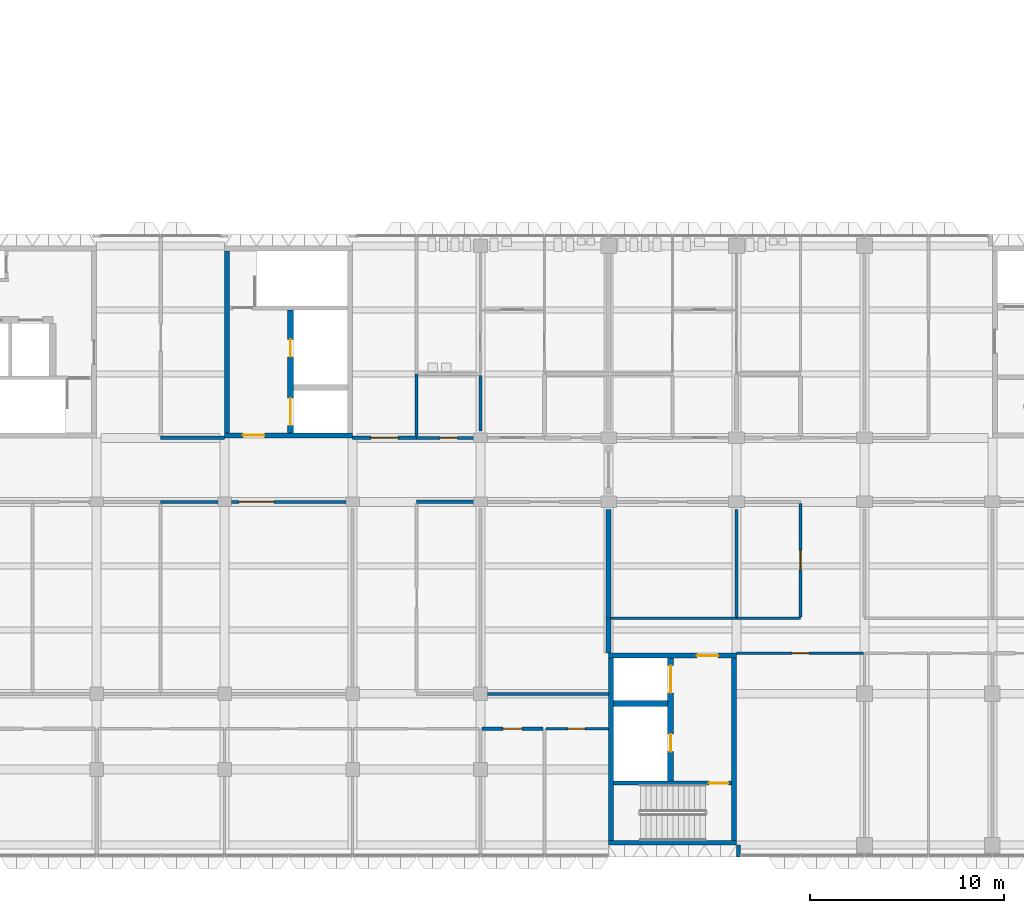
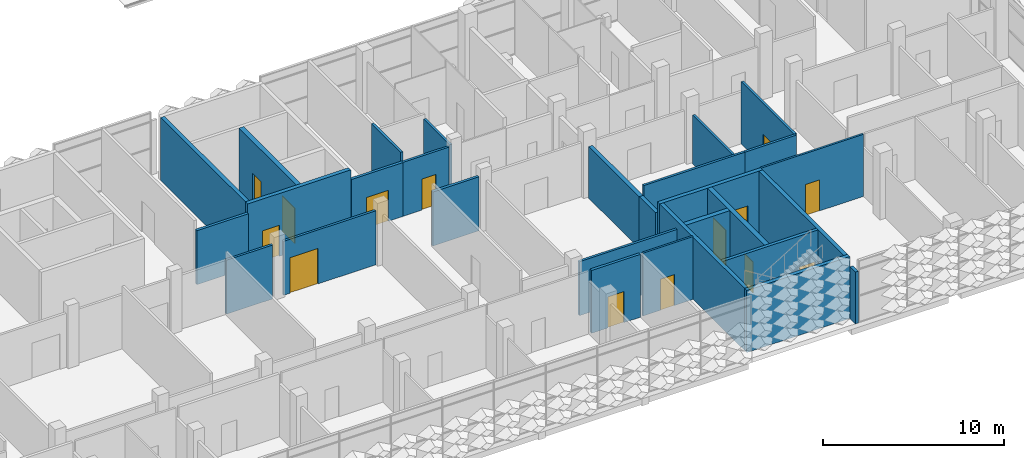
# One storey, part 20 of 61: 29 walls, 14 doors, 14 openings.
"""IFC4 building model written with IfcOpenShell, lengths in metres."""

from ifc_helpers import new_model, si_unit, direction, frame, frame_2d, origin, place, context, subcontext, project, spatial, rectangle, extrude, material, layer, layer_set, type_object, element, fill, save


model = new_model("IFC4")

# Units and contexts
model_context = context("Model", 3, precision=1e-05, world=origin(), true_north=direction((0.0, 1.0)))
body_context = subcontext(model_context, "Body", "Model", "MODEL_VIEW")
ifc_project = project(units=[si_unit("LENGTHUNIT", "METRE"), si_unit("AREAUNIT", "SQUARE_METRE"), si_unit("VOLUMEUNIT", "CUBIC_METRE"), si_unit("PLANEANGLEUNIT", "RADIAN"), si_unit("MASSUNIT", "GRAM", prefix="KILO")], contexts=[model_context])

# Site, building, storey
site_placement = place(None, origin())
site = spatial("IfcSite", under=ifc_project, at=site_placement, CompositionType="ELEMENT")
building_placement = place(site_placement, origin())
building = spatial("IfcBuilding", under=site, at=building_placement, Name="Lantern Court Research Institute", CompositionType="ELEMENT")
storey_placement = place(building_placement, frame((0.0, 0.0, 23.39990234375)))
storey = spatial("IfcBuildingStorey", under=building, at=storey_placement, Name="L05", CompositionType="ELEMENT", Elevation=23.39990234375)

# Wall
ifc_material_1 = material(Name="Double-stud acoustic gypsum board partition, mineral wool filled")
ifc_layer_1 = layer(ifc_material_1, 0.175048828125)
ifc_layer_set_1 = layer_set([ifc_layer_1], Name="Double-stud acoustic gypsum board partition, mineral wool filled")
wall_type_1 = type_object("IfcWallType", Name="Acoustic partition 175 EI 60", PredefinedType="PARTITIONING", material=ifc_layer_set_1)
wall_1_placement = place(storey_placement, frame((33.0, 13.199951171875, 0.0), z_axis=(0.0, 0.0, 1.0), x_axis=(-1.0, 0.0, 0.0)))
element("IfcWall", 1, at=wall_1_placement, inside=storey, type_object=wall_type_1, Name="Acoustic partition 175 EI 60", PredefinedType="PARTITIONING", context=body_context, shape_type="SweptSolid", body=[
    extrude(rectangle(XDim=3.300048828125, YDim=0.175048828125, at=frame_2d((1.64990234375, 0.0))), origin(), (0.0, 0.0, 1.0), 3.650146484375),
])

# Wall, opening, door
wall_2_placement = place(storey_placement, frame((39.60009765625, 13.199951171875, 0.0), z_axis=(0.0, 0.0, 1.0), x_axis=(1.0, 0.0, 0.0)))
wall_2 = element("IfcWall", 2, at=wall_2_placement, inside=storey, type_object=wall_type_1, Name="Acoustic partition 175 EI 60", PredefinedType="PARTITIONING", context=body_context, shape_type="SweptSolid", body=[
    extrude(rectangle(XDim=3.2998046875, YDim=0.175048828125, at=frame_2d((1.64990234375, 0.0))), origin(), (0.0, 0.0, 1.0), 3.650146484375),
])
opening_1_placement = place(wall_2_placement, frame((0.949951171875, 0.0, 0.0)))
opening_1 = element("IfcOpeningElement", 3, at=opening_1_placement, cuts=wall_2, Name="Opening D4505", PredefinedType="OPENING", context=body_context, shape_type="SweptSolid", body=[
    extrude(rectangle(XDim=1.39990234375, YDim=2.10009765625, at=frame_2d((0.699951171875, 1.050048828125))), frame((0.0, 0.097412109375, 0.0), z_axis=(0.0, -1.0, 0.0), x_axis=(1.0, 0.0, 0.0)), (0.0, 0.0, 1.0), 0.195068359375),
])
ifc_material_2 = material(Name="Solid-core timber door leaf", Category="wood")
ifc_layer_2 = layer(ifc_material_2, 0.053955078125)
ifc_layer_set_2 = layer_set([ifc_layer_2], Name="Solid-core timber door leaf")
door_type_1 = type_object("IfcDoorType", Name="Seminar room door 1400 x 2100 pair FD30S", OperationType="DOUBLE_DOOR_SINGLE_SWING", PredefinedType="DOOR", material=ifc_layer_set_2)
door_1_placement = place(opening_1_placement, origin())
door_1 = element("IfcDoor", 4, at=door_1_placement, inside=storey, type_object=door_type_1, Name="Door D4505", OperationType="DOUBLE_DOOR_SINGLE_SWING", OverallHeight=2.10009765625, OverallWidth=1.39990234375, PredefinedType="DOOR", context=body_context, shape_type="SweptSolid", body=[
    extrude(rectangle(XDim=1.39990234375, YDim=2.10009765625, at=frame_2d((0.699951171875, 1.050048828125))), frame((0.0, 0.02685546875, 0.0), z_axis=(0.0, -1.0, 0.0), x_axis=(1.0, 0.0, 0.0)), (0.0, 0.0, 1.0), 0.053955078125),
])
fill(opening_1, door_1)

# Wall
wall_3_placement = place(storey_placement, frame((42.89990234375, 9.89990234375, 0.0), z_axis=(0.0, 0.0, 1.0), x_axis=(1.0, 0.0, 0.0)))
element("IfcWall", 5, at=wall_3_placement, inside=storey, type_object=wall_type_1, Name="Acoustic partition 175 EI 60", PredefinedType="PARTITIONING", context=body_context, shape_type="SweptSolid", body=[
    extrude(rectangle(XDim=2.9501953125, YDim=0.175048828125, at=frame_2d((1.47509765625, 0.0))), origin(), (0.0, 0.0, 1.0), 3.650146484375),
])

# Wall, opening, door
wall_4_placement = place(storey_placement, frame((49.41259765625, -1.800048828125, 0.0), z_axis=(0.0, 0.0, 1.0), x_axis=(-1.0, 0.0, 0.0)))
wall_4 = element("IfcWall", 6, at=wall_4_placement, inside=storey, type_object=wall_type_1, Name="Acoustic partition 175 EI 60", PredefinedType="PARTITIONING", context=body_context, shape_type="SweptSolid", body=[
    extrude(rectangle(XDim=3.125, YDim=0.175048828125, at=frame_2d((1.5625, 0.0))), origin(), (0.0, 0.0, 1.0), 4.25),
])
opening_2_placement = place(wall_4_placement, frame((1.0625, 0.0, 0.0)))
opening_2 = element("IfcOpeningElement", 7, at=opening_2_placement, cuts=wall_4, Name="Opening D4520", PredefinedType="OPENING", context=body_context, shape_type="SweptSolid", body=[
    extrude(rectangle(XDim=1.0, YDim=2.10009765625, at=frame_2d((0.5, 1.050048828125))), frame((0.0, 0.097412109375, 0.0), z_axis=(0.0, -1.0, 0.0), x_axis=(1.0, 0.0, 0.0)), (0.0, 0.0, 1.0), 0.195068359375),
])
ifc_material_3 = material(Name="Solid-core timber door leaf", Category="wood")
ifc_layer_3 = layer(ifc_material_3, 0.053955078125)
ifc_layer_set_3 = layer_set([ifc_layer_3], Name="Solid-core timber door leaf")
door_type_2 = type_object("IfcDoorType", Name="Meeting room door 1000 x 2100 single FD30S", OperationType="NOTDEFINED", PredefinedType="DOOR", material=ifc_layer_set_3)
door_2_placement = place(opening_2_placement, origin())
door_2 = element("IfcDoor", 8, at=door_2_placement, inside=storey, type_object=door_type_2, Name="Door D4520", OperationType="SINGLE_SWING_LEFT", OverallHeight=2.10009765625, OverallWidth=1.0, PredefinedType="DOOR", context=body_context, shape_type="SweptSolid", body=[
    extrude(rectangle(XDim=1.0, YDim=2.10009765625, at=frame_2d((0.5, 1.050048828125))), frame((0.0, 0.02685546875, 0.0), z_axis=(0.0, -1.0, 0.0), x_axis=(1.0, 0.0, 0.0)), (0.0, 0.0, 1.0), 0.053955078125),
])
fill(opening_2, door_2)

ifc_material_4 = material(Name="Fire-rated gypsum board partition, mineral wool filled")
ifc_layer_4 = layer(ifc_material_4, 0.125)
ifc_layer_set_4 = layer_set([ifc_layer_4], Name="Fire-rated gypsum board partition, mineral wool filled")
wall_type_2 = type_object("IfcWallType", Name="Corridor partition 125 EI 60", PredefinedType="PARTITIONING", material=ifc_layer_set_4)
wall_5_placement = place(storey_placement, frame((52.7998046875, -1.800048828125, 0.0), z_axis=(0.0, 0.0, 1.0), x_axis=(-1.0, 0.0, 0.0)))
wall_5 = element("IfcWall", 9, at=wall_5_placement, inside=storey, type_object=wall_type_2, Name="Corridor partition 125 EI 60", PredefinedType="PARTITIONING", context=body_context, shape_type="SweptSolid", body=[
    extrude(rectangle(XDim=3.21240234375, YDim=0.125, at=frame_2d((1.606201171875, 0.0))), origin(), (0.0, 0.0, 1.0), 4.25),
])
opening_3_placement = place(wall_5_placement, frame((1.199951171875, 0.0, 0.0)))
opening_3 = element("IfcOpeningElement", 10, at=opening_3_placement, cuts=wall_5, Name="Opening D4521", PredefinedType="OPENING", context=body_context, shape_type="SweptSolid", body=[
    extrude(rectangle(XDim=0.89990234375, YDim=2.10009765625, at=frame_2d((0.449951171875, 1.050048828125))), frame((0.0, 0.072509765625, 0.0), z_axis=(0.0, -1.0, 0.0), x_axis=(1.0, 0.0, 0.0)), (0.0, 0.0, 1.0), 0.14501953125),
])
ifc_material_5 = material(Name="Solid-core timber door leaf", Category="wood")
ifc_layer_5 = layer(ifc_material_5, 0.053955078125)
ifc_layer_set_5 = layer_set([ifc_layer_5], Name="Solid-core timber door leaf")
door_type_3 = type_object("IfcDoorType", Name="Office door 900 x 2100 single FD30S", OperationType="NOTDEFINED", PredefinedType="DOOR", material=ifc_layer_set_5)
door_3_placement = place(opening_3_placement, origin())
door_3 = element("IfcDoor", 11, at=door_3_placement, inside=storey, type_object=door_type_3, Name="Door D4521", OperationType="SINGLE_SWING_LEFT", OverallHeight=2.10009765625, OverallWidth=0.89990234375, PredefinedType="DOOR", context=body_context, shape_type="SweptSolid", body=[
    extrude(rectangle(XDim=0.89990234375, YDim=2.10009765625, at=frame_2d((0.449951171875, 1.050048828125))), frame((0.0, 0.02685546875, 0.0), z_axis=(0.0, -1.0, 0.0), x_axis=(1.0, 0.0, 0.0)), (0.0, 0.0, 1.0), 0.053955078125),
])
fill(opening_3, door_3)

wall_6_placement = place(storey_placement, frame((65.945068359375, 2.10009765625, 0.0), z_axis=(0.0, 0.0, 1.0), x_axis=(-1.0, 0.0, 0.0)))
wall_6 = element("IfcWall", 12, at=wall_6_placement, inside=storey, type_object=wall_type_2, Name="Corridor partition 125 EI 60", PredefinedType="PARTITIONING", context=body_context, shape_type="SweptSolid", body=[
    extrude(rectangle(XDim=6.544921875, YDim=0.125, at=frame_2d((3.2724609375, 0.0))), origin(), (0.0, 0.0, 1.0), 4.2001953125),
])
opening_4_placement = place(wall_6_placement, frame((2.794921875, 0.0, 0.0)))
opening_4 = element("IfcOpeningElement", 13, at=opening_4_placement, cuts=wall_6, Name="Opening D5509", PredefinedType="OPENING", context=body_context, shape_type="SweptSolid", body=[
    extrude(rectangle(XDim=0.89990234375, YDim=2.10009765625, at=frame_2d((0.449951171875, 1.050048828125))), frame((0.0, 0.072509765625, 0.0), z_axis=(0.0, -1.0, 0.0), x_axis=(1.0, 0.0, 0.0)), (0.0, 0.0, 1.0), 0.14501953125),
])
door_4_placement = place(opening_4_placement, origin())
door_4 = element("IfcDoor", 14, at=door_4_placement, inside=storey, type_object=door_type_3, Name="Door D5509", OperationType="SINGLE_SWING_LEFT", OverallHeight=2.10009765625, OverallWidth=0.89990234375, PredefinedType="DOOR", context=body_context, shape_type="SweptSolid", body=[
    extrude(rectangle(XDim=0.89990234375, YDim=2.10009765625, at=frame_2d((0.449951171875, 1.050048828125))), frame((0.0, 0.02685546875, 0.0), z_axis=(0.0, -1.0, 0.0), x_axis=(1.0, 0.0, 0.0)), (0.0, 0.0, 1.0), 0.053955078125),
])
fill(opening_4, door_4)

ifc_material_6 = material(Name="Fire-rated gypsum board partition, mineral wool filled")
ifc_layer_6 = layer(ifc_material_6, 0.14990234375)
ifc_layer_set_6 = layer_set([ifc_layer_6], Name="Fire-rated gypsum board partition, mineral wool filled")
wall_type_3 = type_object("IfcWallType", Name="Laboratory partition 150 EI 60", PredefinedType="PARTITIONING", material=ifc_layer_set_6)
wall_7_placement = place(storey_placement, frame((45.85009765625, 13.199951171875, 0.0), z_axis=(0.0, 0.0, 1.0), x_axis=(-1.0, 0.0, 0.0)))
wall_7 = element("IfcWall", 15, at=wall_7_placement, inside=storey, type_object=wall_type_3, Name="Laboratory partition 150 EI 60", PredefinedType="PARTITIONING", context=body_context, shape_type="SweptSolid", body=[
    extrude(rectangle(XDim=2.9501953125, YDim=0.14990234375, at=frame_2d((1.47509765625, 0.0))), origin(), (0.0, 0.0, 1.0), 3.650146484375),
])
opening_5_placement = place(wall_7_placement, frame((0.85009765625, 0.0, 0.0)))
opening_5 = element("IfcOpeningElement", 16, at=opening_5_placement, cuts=wall_7, Name="Opening D4506", PredefinedType="OPENING", context=body_context, shape_type="SweptSolid", body=[
    extrude(rectangle(XDim=0.89990234375, YDim=2.10009765625, at=frame_2d((0.449951171875, 1.050048828125))), frame((0.0, 0.0849609375, 0.0), z_axis=(0.0, -1.0, 0.0), x_axis=(1.0, 0.0, 0.0)), (0.0, 0.0, 1.0), 0.169921875),
])
ifc_material_7 = material(Name="Solid-core timber door leaf", Category="wood")
ifc_layer_7 = layer(ifc_material_7, 0.053955078125)
ifc_layer_set_7 = layer_set([ifc_layer_7], Name="Solid-core timber door leaf")
door_type_4 = type_object("IfcDoorType", Name="Cleaners store door 900 x 2100 single FD30S", OperationType="NOTDEFINED", PredefinedType="DOOR", material=ifc_layer_set_7)
door_5_placement = place(opening_5_placement, origin())
door_5 = element("IfcDoor", 17, at=door_5_placement, inside=storey, type_object=door_type_4, Name="Door D4506", OperationType="SINGLE_SWING_LEFT", OverallHeight=2.10009765625, OverallWidth=0.89990234375, PredefinedType="DOOR", context=body_context, shape_type="SweptSolid", body=[
    extrude(rectangle(XDim=0.89990234375, YDim=2.10009765625, at=frame_2d((0.449951171875, 1.050048828125))), frame((0.0, 0.02685546875, 0.0), z_axis=(0.0, -1.0, 0.0), x_axis=(1.0, 0.0, 0.0)), (0.0, 0.0, 1.0), 0.053955078125),
])
fill(opening_5, door_5)

# Wall
wall_8_placement = place(storey_placement, frame((29.699951171875, 9.89990234375, 0.0), z_axis=(0.0, 0.0, 1.0), x_axis=(1.0, 0.0, 0.0)))
element("IfcWall", 18, at=wall_8_placement, inside=storey, type_object=wall_type_3, Name="Laboratory partition 150 EI 60", PredefinedType="PARTITIONING", context=body_context, shape_type="SweptSolid", body=[
    extrude(rectangle(XDim=2.949951171875, YDim=0.14990234375, at=frame_2d((1.47509765625, 0.0))), origin(), (0.0, 0.0, 1.0), 3.650146484375),
])

# Wall, opening, door
wall_9_placement = place(storey_placement, frame((33.35009765625, 9.89990234375, 0.0), z_axis=(0.0, 0.0, 1.0), x_axis=(1.0, 0.0, 0.0)))
wall_9 = element("IfcWall", 19, at=wall_9_placement, inside=storey, type_object=wall_type_3, Name="Laboratory partition 150 EI 60", PredefinedType="PARTITIONING", context=body_context, shape_type="SweptSolid", body=[
    extrude(rectangle(XDim=5.89990234375, YDim=0.14990234375, at=frame_2d((2.949951171875, 0.0))), origin(), (0.0, 0.0, 1.0), 3.650146484375),
])
opening_6_placement = place(wall_9_placement, frame((0.39990234375, 0.0, 0.0)))
opening_6 = element("IfcOpeningElement", 20, at=opening_6_placement, cuts=wall_9, Name="Opening D4525", PredefinedType="OPENING", context=body_context, shape_type="SweptSolid", body=[
    extrude(rectangle(XDim=1.800048828125, YDim=2.39990234375, at=frame_2d((0.89990234375, 1.199951171875))), frame((0.0, 0.0849609375, 0.0), z_axis=(0.0, -1.0, 0.0), x_axis=(1.0, 0.0, 0.0)), (0.0, 0.0, 1.0), 0.169921875),
])
ifc_material_8 = material(Name="Solid-core timber door leaf with vision panel", Category="wood")
ifc_layer_8 = layer(ifc_material_8, 0.053955078125)
ifc_layer_set_8 = layer_set([ifc_layer_8], Name="Solid-core timber door leaf with vision panel")
door_type_5 = type_object("IfcDoorType", Name="Laboratory equipment door 1800 x 2400 pair FD30S", OperationType="DOUBLE_DOOR_SINGLE_SWING", PredefinedType="DOOR", material=ifc_layer_set_8)
door_6_placement = place(opening_6_placement, origin())
door_6 = element("IfcDoor", 21, at=door_6_placement, inside=storey, type_object=door_type_5, Name="Door D4525", OperationType="DOUBLE_DOOR_SINGLE_SWING", OverallHeight=2.39990234375, OverallWidth=1.800048828125, PredefinedType="DOOR", context=body_context, shape_type="SweptSolid", body=[
    extrude(rectangle(XDim=1.800048828125, YDim=2.39990234375, at=frame_2d((0.89990234375, 1.199951171875))), frame((0.0, 0.02685546875, 0.0), z_axis=(0.0, -1.0, 0.0), x_axis=(1.0, 0.0, 0.0)), (0.0, 0.0, 1.0), 0.053955078125),
])
fill(opening_6, door_6)

# Walls
wall_10_placement = place(storey_placement, frame((42.89990234375, 13.28759765625, 0.0), z_axis=(0.0, 0.0, 1.0), x_axis=(0.0, 1.0, 0.0)))
element("IfcWall", 22, at=wall_10_placement, inside=storey, type_object=wall_type_3, Name="Laboratory partition 150 EI 60", PredefinedType="PARTITIONING", context=body_context, shape_type="SweptSolid", body=[
    extrude(rectangle(XDim=3.21240234375, YDim=0.14990234375, at=frame_2d((1.606201171875, 0.0))), origin(), (0.0, 0.0, 1.0), 4.25),
])
wall_11_placement = place(storey_placement, frame((46.199951171875, 13.550048828125, 0.0), z_axis=(0.0, 0.0, 1.0), x_axis=(0.0, 1.0, 0.0)))
element("IfcWall", 23, at=wall_11_placement, inside=storey, type_object=wall_type_3, Name="Laboratory partition 150 EI 60", PredefinedType="PARTITIONING", context=body_context, shape_type="SweptSolid", body=[
    extrude(rectangle(XDim=2.875, YDim=0.14990234375, at=frame_2d((1.4375, 0.0))), origin(), (0.0, 0.0, 1.0), 3.4501953125),
])
wall_12_placement = place(storey_placement, frame((52.7998046875, 0.0, 0.0), z_axis=(0.0, 0.0, 1.0), x_axis=(-1.0, 0.0, 0.0)))
element("IfcWall", 24, at=wall_12_placement, inside=storey, type_object=wall_type_3, Name="Laboratory partition 150 EI 60", PredefinedType="PARTITIONING", context=body_context, shape_type="SweptSolid", body=[
    extrude(rectangle(XDim=6.249755859375, YDim=0.14990234375, at=frame_2d((3.125, 0.0))), origin(), (0.0, 0.0, 1.0), 3.650146484375),
])
wall_13_placement = place(storey_placement, frame((59.39990234375, 3.89990234375, 0.0), z_axis=(0.0, 0.0, 1.0), x_axis=(-1.0, 0.0, 0.0)))
element("IfcWall", 25, at=wall_13_placement, inside=storey, type_object=wall_type_3, Name="Laboratory partition 150 EI 60", PredefinedType="PARTITIONING", context=body_context, shape_type="SweptSolid", body=[
    extrude(rectangle(XDim=6.474853515625, YDim=0.14990234375, at=frame_2d((3.2373046875, 0.0))), origin(), (0.0, 0.0, 1.0), 4.2001953125),
])
wall_14_placement = place(storey_placement, frame((62.699951171875, 3.89990234375, 0.0), z_axis=(0.0, 0.0, 1.0), x_axis=(-1.0, 0.0, 0.0)))
element("IfcWall", 26, at=wall_14_placement, inside=storey, type_object=wall_type_3, Name="Laboratory partition 150 EI 60", PredefinedType="PARTITIONING", context=body_context, shape_type="SweptSolid", body=[
    extrude(rectangle(XDim=3.300048828125, YDim=0.14990234375, at=frame_2d((1.64990234375, 0.0))), origin(), (0.0, 0.0, 1.0), 4.2001953125),
])
wall_15_placement = place(storey_placement, frame((59.39990234375, 3.97509765625, 0.0), z_axis=(0.0, 0.0, 1.0), x_axis=(0.0, 1.0, 0.0)))
element("IfcWall", 27, at=wall_15_placement, inside=storey, type_object=wall_type_3, Name="Laboratory partition 150 EI 60", PredefinedType="PARTITIONING", context=body_context, shape_type="SweptSolid", body=[
    extrude(rectangle(XDim=5.52490234375, YDim=0.14990234375, at=frame_2d((2.762451171875, 0.0))), origin(), (0.0, 0.0, 1.0), 3.300048828125),
])

# Wall, opening, door
wall_16_placement = place(storey_placement, frame((62.699951171875, 9.824951171875, 0.0), z_axis=(0.0, 0.0, 1.0), x_axis=(0.0, -1.0, 0.0)))
wall_16 = element("IfcWall", 28, at=wall_16_placement, inside=storey, type_object=wall_type_3, Name="Laboratory partition 150 EI 60", PredefinedType="PARTITIONING", context=body_context, shape_type="SweptSolid", body=[
    extrude(rectangle(XDim=5.849853515625, YDim=0.14990234375, at=frame_2d((2.9248046875, 0.0))), origin(), (0.0, 0.0, 1.0), 4.2001953125),
])
opening_7_placement = place(wall_16_placement, frame((2.425048828125, 0.0, 0.0)))
opening_7 = element("IfcOpeningElement", 29, at=opening_7_placement, cuts=wall_16, Name="Opening D5514", PredefinedType="OPENING", context=body_context, shape_type="SweptSolid", body=[
    extrude(rectangle(XDim=1.0, YDim=2.10009765625, at=frame_2d((0.5, 1.050048828125))), frame((0.0, 0.0849609375, 0.0), z_axis=(0.0, -1.0, 0.0), x_axis=(1.0, 0.0, 0.0)), (0.0, 0.0, 1.0), 0.169921875),
])
ifc_material_9 = material(Name="Solid-core timber door leaf with vision panel", Category="wood")
ifc_layer_9 = layer(ifc_material_9, 0.053955078125)
ifc_layer_set_9 = layer_set([ifc_layer_9], Name="Solid-core timber door leaf with vision panel")
door_type_6 = type_object("IfcDoorType", Name="Laboratory door 1000 x 2100 single FD30S", OperationType="NOTDEFINED", PredefinedType="DOOR", material=ifc_layer_set_9)
door_7_placement = place(opening_7_placement, origin())
door_7 = element("IfcDoor", 30, at=door_7_placement, inside=storey, type_object=door_type_6, Name="Door D5514", OperationType="SINGLE_SWING_RIGHT", OverallHeight=2.10009765625, OverallWidth=1.0, PredefinedType="DOOR", context=body_context, shape_type="SweptSolid", body=[
    extrude(rectangle(XDim=1.0, YDim=2.10009765625, at=frame_2d((0.5, 1.050048828125))), frame((0.0, 0.02685546875, 0.0), z_axis=(0.0, -1.0, 0.0), x_axis=(1.0, 0.0, 0.0)), (0.0, 0.0, 1.0), 0.053955078125),
])
fill(opening_7, door_7)

# Walls
ifc_material_10 = material(Name="Fire-rated gypsum board partition, double stud, mineral wool filled")
ifc_layer_10 = layer(ifc_material_10, 0.25)
ifc_layer_set_10 = layer_set([ifc_layer_10], Name="Fire-rated gypsum board partition, double stud, mineral wool filled")
wall_type_4 = type_object("IfcWallType", Name="Plant compartment wall 250 EI 120", PredefinedType="PARTITIONING", material=ifc_layer_set_10)
wall_17_placement = place(storey_placement, frame((52.800048828125, 2.10009765625, 0.0), z_axis=(0.0, 0.0, 1.0), x_axis=(0.0, 1.0, 0.0)))
element("IfcWall", 31, at=wall_17_placement, inside=storey, type_object=wall_type_4, Name="Plant compartment wall 250 EI 120", PredefinedType="PARTITIONING", context=body_context, shape_type="SweptSolid", body=[
    extrude(rectangle(XDim=1.7998046875, YDim=0.25, at=frame_2d((0.89990234375, 0.0))), origin(), (0.0, 0.0, 1.0), 3.5),
])
wall_18_placement = place(storey_placement, frame((52.800048828125, 3.89990234375, 0.0), z_axis=(0.0, 0.0, 1.0), x_axis=(0.0, 1.0, 0.0)))
element("IfcWall", 32, at=wall_18_placement, inside=storey, type_object=wall_type_4, Name="Plant compartment wall 250 EI 120", PredefinedType="PARTITIONING", context=body_context, shape_type="SweptSolid", body=[
    extrude(rectangle(XDim=5.60009765625, YDim=0.25, at=frame_2d((2.800048828125, 0.0))), origin(), (0.0, 0.0, 1.0), 3.5),
])

# Wall, opening, door
ifc_material_11 = material(Name="Concrete C40/50", Category="concrete")
ifc_layer_11 = layer(ifc_material_11, 0.25)
ifc_layer_set_11 = layer_set([ifc_layer_11], Name="Concrete C40/50")
wall_type_5 = type_object("IfcWallType", Name="RC core wall 250", PredefinedType="SHEAR", material=ifc_layer_set_11)
wall_19_placement = place(storey_placement, frame((33.0, 13.324951171875, 0.0), z_axis=(0.0, 0.0, 1.0), x_axis=(1.0, 0.0, 0.0)))
wall_19 = element("IfcWall", 33, at=wall_19_placement, inside=storey, type_object=wall_type_5, Name="South wall of core BC-E", PredefinedType="SHEAR", context=body_context, shape_type="SweptSolid", body=[
    extrude(rectangle(XDim=6.60009765625, YDim=0.25, at=frame_2d((3.300048828125, 0.0))), origin(), (0.0, 0.0, 1.0), 4.25),
])
opening_8_placement = place(wall_19_placement, frame((0.949951171875, 0.0, 0.0)))
opening_8 = element("IfcOpeningElement", 34, at=opening_8_placement, cuts=wall_19, Name="Opening D7092", PredefinedType="OPENING", context=body_context, shape_type="SweptSolid", body=[
    extrude(rectangle(XDim=1.10009765625, YDim=2.10009765625, at=frame_2d((0.550048828125, 1.050048828125))), frame((0.0, 0.135009765625, 0.0), z_axis=(0.0, -1.0, 0.0), x_axis=(1.0, 0.0, 0.0)), (0.0, 0.0, 1.0), 0.27001953125),
])
ifc_material_12 = material(Name="Steel fire door leaf with smoke seals", Category="steel")
door_type_7 = type_object("IfcDoorType", Name="Door 1100 x 2100 fire rated FD60S", OperationType="NOTDEFINED", PredefinedType="DOOR", material=ifc_material_12)
door_8_placement = place(opening_8_placement, origin())
door_8 = element("IfcDoor", 35, at=door_8_placement, inside=storey, type_object=door_type_7, Name="Lobby door", OperationType="SINGLE_SWING_RIGHT", OverallHeight=2.10009765625, OverallWidth=1.10009765625, PredefinedType="DOOR", context=body_context, shape_type="SweptSolid", body=[
    extrude(rectangle(XDim=1.10009765625, YDim=2.10009765625, at=frame_2d((0.550048828125, 1.050048828125))), frame((0.0, 0.02490234375, 0.0), z_axis=(0.0, -1.0, 0.0), x_axis=(1.0, 0.0, 0.0)), (0.0, 0.0, 1.0), 0.050048828125),
])
fill(opening_8, door_8)

# Wall
wall_20_placement = place(storey_placement, frame((33.125, 13.449951171875, 0.0), z_axis=(0.0, 0.0, 1.0), x_axis=(0.0, 1.0, 0.0)))
element("IfcWall", 36, at=wall_20_placement, inside=storey, type_object=wall_type_5, Name="West wall of core BC-E", PredefinedType="SHEAR", context=body_context, shape_type="SweptSolid", body=[
    extrude(rectangle(XDim=9.400146484375, YDim=0.25, at=frame_2d((4.7001953125, 0.0))), origin(), (0.0, 0.0, 1.0), 4.25),
])

# Wall, opening, door
wall_21_placement = place(storey_placement, frame((59.39990234375, 1.97509765625, 0.0), z_axis=(0.0, 0.0, 1.0), x_axis=(-1.0, 0.0, 0.0)))
wall_21 = element("IfcWall", 37, at=wall_21_placement, inside=storey, type_object=wall_type_5, Name="North wall of core TC-W", PredefinedType="SHEAR", context=body_context, shape_type="SweptSolid", body=[
    extrude(rectangle(XDim=6.599853515625, YDim=0.25, at=frame_2d((3.2998046875, 0.0))), origin(), (0.0, 0.0, 1.0), 4.2001953125),
])
opening_9_placement = place(wall_21_placement, frame((0.949951171875, 0.0, 0.0)))
opening_9 = element("IfcOpeningElement", 38, at=opening_9_placement, cuts=wall_21, Name="Opening D7121", PredefinedType="OPENING", context=body_context, shape_type="SweptSolid", body=[
    extrude(rectangle(XDim=1.10009765625, YDim=2.10009765625, at=frame_2d((0.550048828125, 1.050048828125))), frame((0.0, 0.135009765625, 0.0), z_axis=(0.0, -1.0, 0.0), x_axis=(1.0, 0.0, 0.0)), (0.0, 0.0, 1.0), 0.27001953125),
])
door_9_placement = place(opening_9_placement, origin())
door_9 = element("IfcDoor", 39, at=door_9_placement, inside=storey, type_object=door_type_7, Name="Lobby door", OperationType="SINGLE_SWING_RIGHT", OverallHeight=2.10009765625, OverallWidth=1.10009765625, PredefinedType="DOOR", context=body_context, shape_type="SweptSolid", body=[
    extrude(rectangle(XDim=1.10009765625, YDim=2.10009765625, at=frame_2d((0.550048828125, 1.050048828125))), frame((0.0, 0.02490234375, 0.0), z_axis=(0.0, -1.0, 0.0), x_axis=(1.0, 0.0, 0.0)), (0.0, 0.0, 1.0), 0.050048828125),
])
fill(opening_9, door_9)

# Walls
for number, where, z_axis, x_axis, name in (
    (40, (59.27490234375, 1.85009765625, 0.0), (0.0, 0.0, 1.0), (0.0, -1.0, 0.0), "East wall of core TC-W"),
    (41, (52.925048828125, 1.85009765625, 0.0), (0.0, 0.0, 1.0), (0.0, -1.0, 0.0), "West wall of core TC-W"),
):
    element("IfcWall", number, at=place(storey_placement, frame(where, z_axis=z_axis, x_axis=x_axis)), inside=storey, type_object=wall_type_5, Name=name, PredefinedType="SHEAR", context=body_context, shape_type="SweptSolid", body=[
        extrude(rectangle(XDim=9.400146484375, YDim=0.25, at=frame_2d((4.7001953125, 0.0))), origin(), (0.0, 0.0, 1.0), 4.2001953125),
    ])
ifc_material_13 = material(Name="Concrete C40/50", Category="concrete")
ifc_layer_12 = layer(ifc_material_13, 0.25)
ifc_layer_set_12 = layer_set([ifc_layer_12], Name="Concrete C40/50")
wall_type_6 = type_object("IfcWallType", Name="RC core wall 250 facade", PredefinedType="SHEAR", material=ifc_layer_set_12)
wall_22_placement = place(storey_placement, frame((59.39990234375, -7.675048828125, 0.0), z_axis=(0.0, 0.0, 1.0), x_axis=(-1.0, 0.0, 0.0)))
element("IfcWall", 42, at=wall_22_placement, inside=storey, type_object=wall_type_6, Name="South wall of core TC-W", PredefinedType="SHEAR", context=body_context, shape_type="SweptSolid", body=[
    extrude(rectangle(XDim=6.599853515625, YDim=0.25, at=frame_2d((3.2998046875, 0.0))), origin(), (0.0, 0.0, 1.0), 4.2001953125),
])

# Wall, opening, door
ifc_material_14 = material(Name="Concrete C40/50", Category="concrete")
ifc_layer_13 = layer(ifc_material_14, 0.199951171875)
ifc_layer_set_13 = layer_set([ifc_layer_13], Name="Concrete C40/50")
wall_type_7 = type_object("IfcWallType", Name="RC shaft wall 200", PredefinedType="SHEAR", material=ifc_layer_set_13)
wall_23_placement = place(storey_placement, frame((59.14990234375, -4.60009765625, 0.0), z_axis=(0.0, 0.0, 1.0), x_axis=(-1.0, 0.0, 0.0)))
wall_23 = element("IfcWall", 43, at=wall_23_placement, inside=storey, type_object=wall_type_7, Name="Stair wall of core TC-W", PredefinedType="SHEAR", context=body_context, shape_type="SweptSolid", body=[
    extrude(rectangle(XDim=6.099853515625, YDim=0.199951171875, at=frame_2d((3.0498046875, 0.0))), origin(), (0.0, 0.0, 1.0), 4.2001953125),
])
opening_10_placement = place(wall_23_placement, frame((0.175048828125, 0.0, 0.0)))
opening_10 = element("IfcOpeningElement", 44, at=opening_10_placement, cuts=wall_23, Name="Opening D7122", PredefinedType="OPENING", context=body_context, shape_type="SweptSolid", body=[
    extrude(rectangle(XDim=1.0, YDim=2.10009765625, at=frame_2d((0.5, 1.050048828125))), frame((0.0, 0.10986328125, 0.0), z_axis=(0.0, -1.0, 0.0), x_axis=(1.0, 0.0, 0.0)), (0.0, 0.0, 1.0), 0.219970703125),
])
ifc_material_15 = material(Name="Steel fire door leaf with smoke seals", Category="steel")
door_type_8 = type_object("IfcDoorType", Name="Door 1000 x 2100 fire rated FD60S", OperationType="NOTDEFINED", PredefinedType="DOOR", material=ifc_material_15)
door_10_placement = place(opening_10_placement, origin())
door_10 = element("IfcDoor", 45, at=door_10_placement, inside=storey, type_object=door_type_8, Name="Stair door", OperationType="SINGLE_SWING_RIGHT", OverallHeight=2.10009765625, OverallWidth=1.0, PredefinedType="DOOR", context=body_context, shape_type="SweptSolid", body=[
    extrude(rectangle(XDim=1.0, YDim=2.10009765625, at=frame_2d((0.5, 1.050048828125))), frame((0.0, 0.02490234375, 0.0), z_axis=(0.0, -1.0, 0.0), x_axis=(1.0, 0.0, 0.0)), (0.0, 0.0, 1.0), 0.050048828125),
])
fill(opening_10, door_10)

# Wall, openings, doors
ifc_material_16 = material(Name="Concrete C40/50", Category="concrete")
ifc_layer_14 = layer(ifc_material_16, 0.300048828125)
ifc_layer_set_14 = layer_set([ifc_layer_14], Name="Concrete C40/50")
wall_type_8 = type_object("IfcWallType", Name="RC shaft wall 300", PredefinedType="SHEAR", material=ifc_layer_set_14)
wall_24_placement = place(storey_placement, frame((36.39990234375, 13.449951171875, 0.0), z_axis=(0.0, 0.0, 1.0), x_axis=(0.0, 1.0, 0.0)))
wall_24 = element("IfcWall", 46, at=wall_24_placement, inside=storey, type_object=wall_type_8, Name="Lift shaft wall of core BC-E", PredefinedType="SHEAR", context=body_context, shape_type="SweptSolid", body=[
    extrude(rectangle(XDim=6.35009765625, YDim=0.300048828125, at=frame_2d((3.175048828125, 0.0))), origin(), (0.0, 0.0, 1.0), 4.25),
])
opening_11_placement = place(wall_24_placement, frame((3.925048828125, 0.0, 0.0)))
opening_11 = element("IfcOpeningElement", 47, at=opening_11_placement, cuts=wall_24, Name="Opening D7091", PredefinedType="OPENING", context=body_context, shape_type="SweptSolid", body=[
    extrude(rectangle(XDim=0.89990234375, YDim=2.10009765625, at=frame_2d((0.449951171875, 1.050048828125))), frame((0.0, 0.159912109375, 0.0), z_axis=(0.0, -1.0, 0.0), x_axis=(1.0, 0.0, 0.0)), (0.0, 0.0, 1.0), 0.320068359375),
])
opening_12_placement = place(wall_24_placement, frame((0.39990234375, 0.0, 0.0)))
opening_12 = element("IfcOpeningElement", 48, at=opening_12_placement, cuts=wall_24, Name="Opening D7094", PredefinedType="OPENING", context=body_context, shape_type="SweptSolid", body=[
    extrude(rectangle(XDim=1.39990234375, YDim=2.39990234375, at=frame_2d((0.699951171875, 1.199951171875))), frame((0.0, 0.159912109375, 0.0), z_axis=(0.0, -1.0, 0.0), x_axis=(1.0, 0.0, 0.0)), (0.0, 0.0, 1.0), 0.320068359375),
])
ifc_material_17 = material(Name="Steel fire door leaf", Category="steel")
door_type_9 = type_object("IfcDoorType", Name="Door 900 x 2100 fire rated FD60", OperationType="NOTDEFINED", PredefinedType="DOOR", material=ifc_material_17)
door_11_placement = place(opening_11_placement, origin())
door_11 = element("IfcDoor", 49, at=door_11_placement, inside=storey, type_object=door_type_9, Name="Riser door", OperationType="SINGLE_SWING_RIGHT", OverallHeight=2.10009765625, OverallWidth=0.89990234375, PredefinedType="DOOR", context=body_context, shape_type="SweptSolid", body=[
    extrude(rectangle(XDim=0.89990234375, YDim=2.10009765625, at=frame_2d((0.449951171875, 1.050048828125))), frame((0.0, 0.02490234375, 0.0), z_axis=(0.0, -1.0, 0.0), x_axis=(1.0, 0.0, 0.0)), (0.0, 0.0, 1.0), 0.050048828125),
])
fill(opening_11, door_11)
ifc_material_18 = material(Name="Stainless steel landing door panels", Category="steel")
door_type_10 = type_object("IfcDoorType", Name="Lift landing door 1400 x 2400 sliding FD60", OperationType="DOUBLE_DOOR_SLIDING", PredefinedType="NOTDEFINED", material=ifc_material_18)
door_12_placement = place(opening_12_placement, origin())
door_12 = element("IfcDoor", 50, at=door_12_placement, inside=storey, type_object=door_type_10, Name="Landing door", OperationType="DOUBLE_DOOR_SLIDING", OverallHeight=2.39990234375, OverallWidth=1.39990234375, PredefinedType="NOTDEFINED", context=body_context, shape_type="SweptSolid", body=[
    extrude(rectangle(XDim=1.39990234375, YDim=2.39990234375, at=frame_2d((0.699951171875, 1.199951171875))), frame((0.0, 0.02490234375, 0.0), z_axis=(0.0, -1.0, 0.0), x_axis=(1.0, 0.0, 0.0)), (0.0, 0.0, 1.0), 0.050048828125),
])
fill(opening_12, door_12)

wall_25_placement = place(storey_placement, frame((56.0, 1.85009765625, 0.0), z_axis=(0.0, 0.0, 1.0), x_axis=(0.0, -1.0, 0.0)))
wall_25 = element("IfcWall", 51, at=wall_25_placement, inside=storey, type_object=wall_type_8, Name="Lift shaft wall of core TC-W", PredefinedType="SHEAR", context=body_context, shape_type="SweptSolid", body=[
    extrude(rectangle(XDim=6.35009765625, YDim=0.300048828125, at=frame_2d((3.175048828125, 0.0))), origin(), (0.0, 0.0, 1.0), 4.2001953125),
])
opening_13_placement = place(wall_25_placement, frame((3.925048828125, 0.0, 0.0)))
opening_13 = element("IfcOpeningElement", 52, at=opening_13_placement, cuts=wall_25, Name="Opening D7120", PredefinedType="OPENING", context=body_context, shape_type="SweptSolid", body=[
    extrude(rectangle(XDim=0.89990234375, YDim=2.10009765625, at=frame_2d((0.449951171875, 1.050048828125))), frame((0.0, 0.159912109375, 0.0), z_axis=(0.0, -1.0, 0.0), x_axis=(1.0, 0.0, 0.0)), (0.0, 0.0, 1.0), 0.320068359375),
])
opening_14_placement = place(wall_25_placement, frame((0.39990234375, 0.0, 0.0)))
opening_14 = element("IfcOpeningElement", 53, at=opening_14_placement, cuts=wall_25, Name="Opening D7123", PredefinedType="OPENING", context=body_context, shape_type="SweptSolid", body=[
    extrude(rectangle(XDim=1.39990234375, YDim=2.39990234375, at=frame_2d((0.699951171875, 1.199951171875))), frame((0.0, 0.159912109375, 0.0), z_axis=(0.0, -1.0, 0.0), x_axis=(1.0, 0.0, 0.0)), (0.0, 0.0, 1.0), 0.320068359375),
])
door_13_placement = place(opening_13_placement, origin())
door_13 = element("IfcDoor", 54, at=door_13_placement, inside=storey, type_object=door_type_9, Name="Riser door", OperationType="SINGLE_SWING_RIGHT", OverallHeight=2.10009765625, OverallWidth=0.89990234375, PredefinedType="DOOR", context=body_context, shape_type="SweptSolid", body=[
    extrude(rectangle(XDim=0.89990234375, YDim=2.10009765625, at=frame_2d((0.449951171875, 1.050048828125))), frame((0.0, 0.02490234375, 0.0), z_axis=(0.0, -1.0, 0.0), x_axis=(1.0, 0.0, 0.0)), (0.0, 0.0, 1.0), 0.050048828125),
])
fill(opening_13, door_13)
door_14_placement = place(opening_14_placement, origin())
door_14 = element("IfcDoor", 55, at=door_14_placement, inside=storey, type_object=door_type_10, Name="Landing door", OperationType="DOUBLE_DOOR_SLIDING", OverallHeight=2.39990234375, OverallWidth=1.39990234375, PredefinedType="NOTDEFINED", context=body_context, shape_type="SweptSolid", body=[
    extrude(rectangle(XDim=1.39990234375, YDim=2.39990234375, at=frame_2d((0.699951171875, 1.199951171875))), frame((0.0, 0.02490234375, 0.0), z_axis=(0.0, -1.0, 0.0), x_axis=(1.0, 0.0, 0.0)), (0.0, 0.0, 1.0), 0.050048828125),
])
fill(opening_14, door_14)

# Walls
wall_26_placement = place(storey_placement, frame((55.85009765625, -0.5, 0.0), z_axis=(0.0, 0.0, 1.0), x_axis=(-1.0, 0.0, 0.0)))
element("IfcWall", 56, at=wall_26_placement, inside=storey, type_object=wall_type_8, Name="Lift shaft wall of core TC-W", PredefinedType="SHEAR", context=body_context, shape_type="SweptSolid", body=[
    extrude(rectangle(XDim=2.800048828125, YDim=0.300048828125, at=frame_2d((1.39990234375, 0.0))), origin(), (0.0, 0.0, 1.0), 4.2001953125),
])
ifc_material_19 = material(Name="Concrete C40/50", Category="concrete")
ifc_layer_15 = layer(ifc_material_19, 0.199951171875)
ifc_layer_set_15 = layer_set([ifc_layer_15], Name="Concrete C40/50")
wall_type_9 = type_object("IfcWallType", Name="Return wall 200 concrete EI 120 aluminium faced", PredefinedType="STANDARD", material=ifc_layer_set_15)
wall_27_placement = place(storey_placement, frame((59.5, -7.800048828125, 0.0), z_axis=(0.0, 0.0, 1.0), x_axis=(0.0, -1.0, 0.0)))
element("IfcWall", 57, at=wall_27_placement, inside=storey, type_object=wall_type_9, Name="Core return wall 54", PredefinedType="STANDARD", context=body_context, shape_type="SweptSolid", body=[
    extrude(rectangle(XDim=0.599853515625, YDim=0.199951171875, at=frame_2d((0.2998046875, 0.0))), origin(), (0.0, 0.0, 1.0), 3.5),
])

save(model, "model.ifc")
